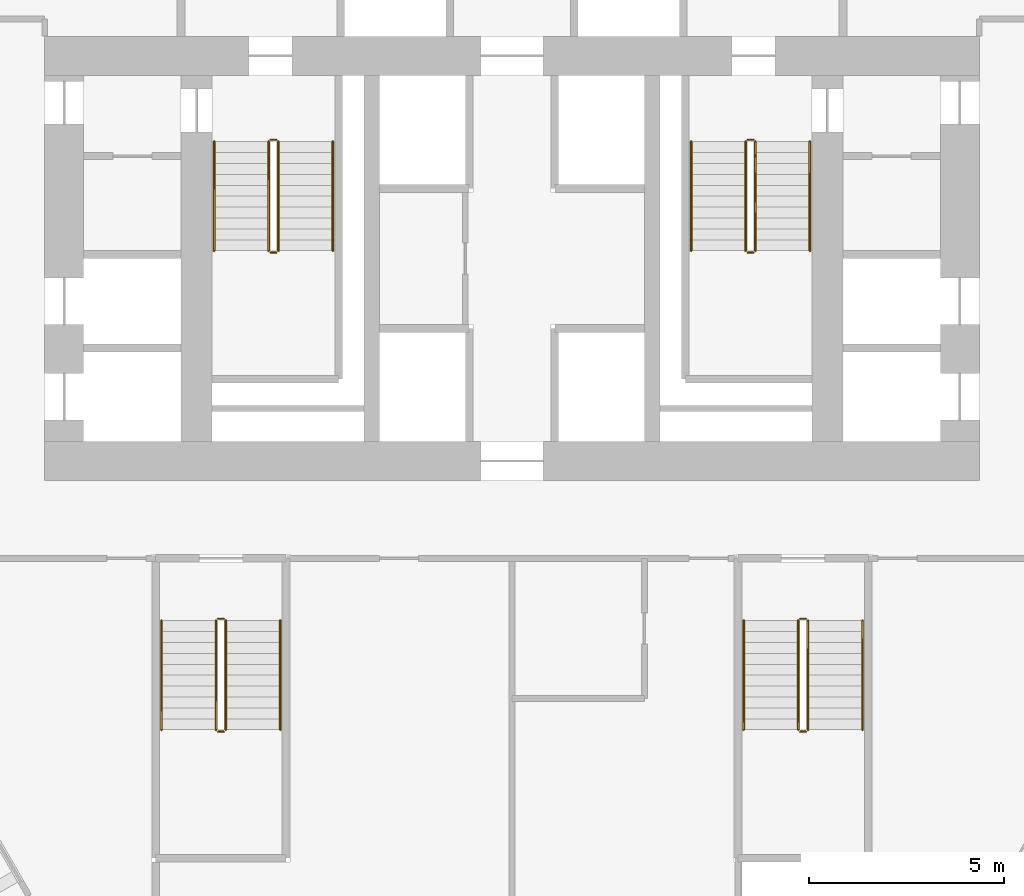
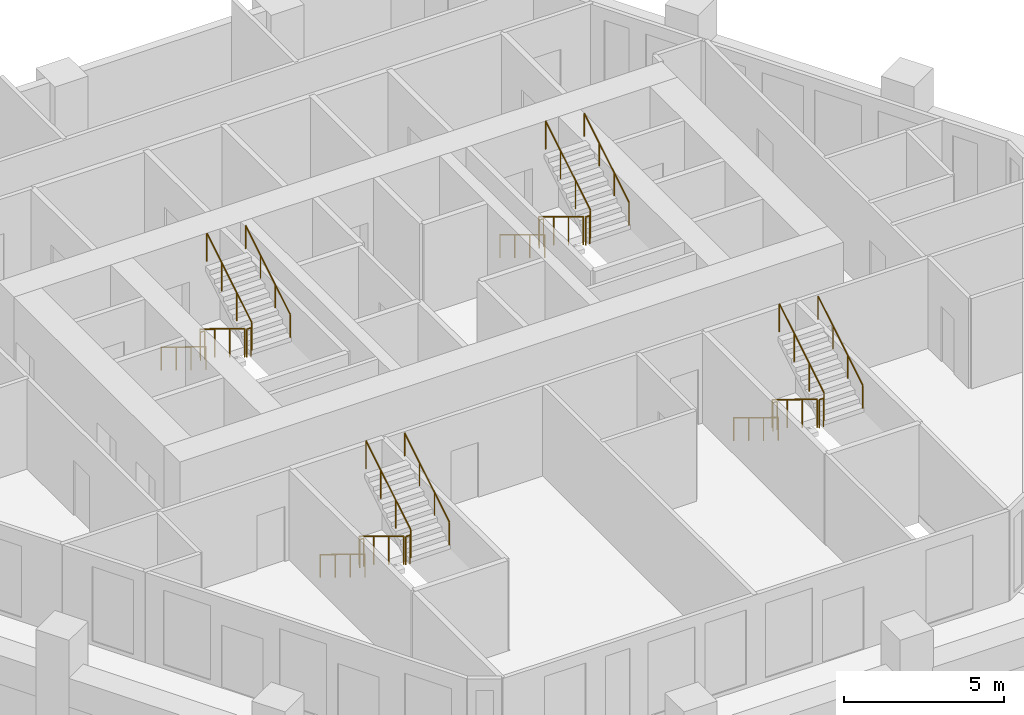
# One storey, part 7 of 7: 24 railings.
"""IFC4 building model written with IfcOpenShell, lengths in metres."""

from ifc_helpers import new_model, si_unit, direction, frame, origin, origin_2d, place, context, subcontext, project, spatial, circle, extrude, material, type_object, element, save


model = new_model("IFC4")

# Units and contexts
model_context = context("Model", 3, precision=1e-05, world=origin(), true_north=direction((0.0, 1.0)))
body_context = subcontext(model_context, "Body", "Model", "MODEL_VIEW")
ifc_project = project(units=[si_unit("LENGTHUNIT", "METRE"), si_unit("AREAUNIT", "SQUARE_METRE"), si_unit("VOLUMEUNIT", "CUBIC_METRE"), si_unit("PLANEANGLEUNIT", "RADIAN"), si_unit("MASSUNIT", "GRAM", prefix="KILO")], contexts=[model_context])

# Site, building, storey
site_placement = place(None, origin())
site = spatial("IfcSite", under=ifc_project, at=site_placement, CompositionType="ELEMENT")
building_placement = place(site_placement, origin())
building = spatial("IfcBuilding", under=site, at=building_placement, Name="Ostrander Bayou Hotel Tower", CompositionType="ELEMENT")
storey_placement = place(building_placement, frame((0.0, 0.0, 89.25)))
storey = spatial("IfcBuildingStorey", under=building, at=storey_placement, Name="L22", CompositionType="ELEMENT", Elevation=89.25)

# Railings
ifc_material_1 = material(Name="Steel ASTM A500 Gr C", Category="steel")
railing_type_1 = type_object("IfcRailingType", Name="GR1 stair guard 1100 mm steel", PredefinedType="GUARDRAIL", material=ifc_material_1)
railing_1_placement = place(storey_placement, frame((-6.25, 7.0, 0.17041015625)))
element("IfcRailing", 1, at=railing_1_placement, inside=storey, type_object=railing_type_1, Name="L22 STA stair guard 1", PredefinedType="GUARDRAIL", context=body_context, shape_type="SweptSolid", body=[
    extrude(circle(Radius=0.02392578125, at=origin_2d()), frame((0.0, 0.0, 1.076171875), z_axis=(0.0, -0.854169791009, 0.51999420009), x_axis=(1.0, 0.0, 0.0)), (0.0, 0.0, 1.0), 3.278076171875),
    extrude(circle(Radius=0.02099609375, at=origin_2d()), origin(), (0.0, 0.0, 1.0), 1.052001953125),
    extrude(circle(Radius=0.02099609375, at=origin_2d()), frame((0.0, -0.933349609375, 0.568115234375)), (0.0, 0.0, 1.0), 1.052001953125),
    extrude(circle(Radius=0.02099609375, at=origin_2d()), frame((0.0, -1.86669921875, 1.136474609375)), (0.0, 0.0, 1.0), 1.052001953125),
    extrude(circle(Radius=0.02099609375, at=origin_2d()), frame((0.0, -2.800048828125, 1.70458984375)), (0.0, 0.0, 1.0), 1.052001953125),
])
railing_2_placement = place(storey_placement, frame((-6.199951171875, 4.14990234375, 1.875)))
element("IfcRailing", 2, at=railing_2_placement, inside=storey, type_object=railing_type_1, Name="L22 STA stair guard 2", PredefinedType="GUARDRAIL", context=body_context, shape_type="SweptSolid", body=[
    extrude(circle(Radius=0.02392578125, at=origin_2d()), frame((0.0, 0.0, 1.076171875), z_axis=(1.0, 0.0, 0.0), x_axis=(0.0, 1.0, 0.0)), (0.0, 0.0, 1.0), 0.14990234375),
    extrude(circle(Radius=0.02099609375, at=origin_2d()), origin(), (0.0, 0.0, 1.0), 1.052001953125),
    extrude(circle(Radius=0.02099609375, at=origin_2d()), frame((0.14990234375, 0.0, 0.0)), (0.0, 0.0, 1.0), 1.052001953125),
])
railing_3_placement = place(storey_placement, frame((-6.0, 4.199951171875, 2.04541015625)))
element("IfcRailing", 3, at=railing_3_placement, inside=storey, type_object=railing_type_1, Name="L22 STA stair guard 3", PredefinedType="GUARDRAIL", context=body_context, shape_type="SweptSolid", body=[
    extrude(circle(Radius=0.02392578125, at=origin_2d()), frame((0.0, 0.0, 1.076171875), z_axis=(0.0, 0.854169791009, 0.51999420009), x_axis=(-1.0, 0.0, 0.0)), (0.0, 0.0, 1.0), 3.278076171875),
    extrude(circle(Radius=0.02099609375, at=origin_2d()), origin(), (0.0, 0.0, 1.0), 1.052001953125),
    extrude(circle(Radius=0.02099609375, at=origin_2d()), frame((0.0, 0.933349609375, 0.568115234375)), (0.0, 0.0, 1.0), 1.052001953125),
    extrude(circle(Radius=0.02099609375, at=origin_2d()), frame((0.0, 1.86669921875, 1.136474609375)), (0.0, 0.0, 1.0), 1.052001953125),
    extrude(circle(Radius=0.02099609375, at=origin_2d()), frame((0.0, 2.800048828125, 1.70458984375)), (0.0, 0.0, 1.0), 1.052001953125),
])
railing_4_placement = place(storey_placement, frame((-6.199951171875, 7.050048828125, 0.0)))
element("IfcRailing", 4, at=railing_4_placement, inside=storey, type_object=railing_type_1, Name="L22 STA stair guard 4", PredefinedType="GUARDRAIL", context=body_context, shape_type="SweptSolid", body=[
    extrude(circle(Radius=0.02392578125, at=origin_2d()), frame((0.0, 0.0, 1.076171875), z_axis=(1.0, 0.0, 0.0), x_axis=(0.0, 1.0, 0.0)), (0.0, 0.0, 1.0), 0.14990234375),
    extrude(circle(Radius=0.02099609375, at=origin_2d()), origin(), (0.0, 0.0, 1.0), 1.052001953125),
    extrude(circle(Radius=0.02099609375, at=origin_2d()), frame((0.14990234375, 0.0, 0.0)), (0.0, 0.0, 1.0), 1.052001953125),
])
railing_5_placement = place(storey_placement, frame((6.0, 7.0, 0.17041015625)))
element("IfcRailing", 5, at=railing_5_placement, inside=storey, type_object=railing_type_1, Name="L22 STB stair guard 1", PredefinedType="GUARDRAIL", context=body_context, shape_type="SweptSolid", body=[
    extrude(circle(Radius=0.02392578125, at=origin_2d()), frame((0.0, 0.0, 1.076171875), z_axis=(0.0, -0.854169791009, 0.51999420009), x_axis=(1.0, 0.0, 0.0)), (0.0, 0.0, 1.0), 3.278076171875),
    extrude(circle(Radius=0.02099609375, at=origin_2d()), origin(), (0.0, 0.0, 1.0), 1.052001953125),
    extrude(circle(Radius=0.02099609375, at=origin_2d()), frame((0.0, -0.933349609375, 0.568115234375)), (0.0, 0.0, 1.0), 1.052001953125),
    extrude(circle(Radius=0.02099609375, at=origin_2d()), frame((0.0, -1.86669921875, 1.136474609375)), (0.0, 0.0, 1.0), 1.052001953125),
    extrude(circle(Radius=0.02099609375, at=origin_2d()), frame((0.0, -2.800048828125, 1.70458984375)), (0.0, 0.0, 1.0), 1.052001953125),
])
railing_6_placement = place(storey_placement, frame((6.050048828125, 4.14990234375, 1.875)))
element("IfcRailing", 6, at=railing_6_placement, inside=storey, type_object=railing_type_1, Name="L22 STB stair guard 2", PredefinedType="GUARDRAIL", context=body_context, shape_type="SweptSolid", body=[
    extrude(circle(Radius=0.02392578125, at=origin_2d()), frame((0.0, 0.0, 1.076171875), z_axis=(1.0, 0.0, 0.0), x_axis=(0.0, 1.0, 0.0)), (0.0, 0.0, 1.0), 0.14990234375),
    extrude(circle(Radius=0.02099609375, at=origin_2d()), origin(), (0.0, 0.0, 1.0), 1.052001953125),
    extrude(circle(Radius=0.02099609375, at=origin_2d()), frame((0.14990234375, 0.0, 0.0)), (0.0, 0.0, 1.0), 1.052001953125),
])
railing_7_placement = place(storey_placement, frame((6.25, 4.199951171875, 2.04541015625)))
element("IfcRailing", 7, at=railing_7_placement, inside=storey, type_object=railing_type_1, Name="L22 STB stair guard 3", PredefinedType="GUARDRAIL", context=body_context, shape_type="SweptSolid", body=[
    extrude(circle(Radius=0.02392578125, at=origin_2d()), frame((0.0, 0.0, 1.076171875), z_axis=(0.0, 0.854169791009, 0.51999420009), x_axis=(-1.0, 0.0, 0.0)), (0.0, 0.0, 1.0), 3.278076171875),
    extrude(circle(Radius=0.02099609375, at=origin_2d()), origin(), (0.0, 0.0, 1.0), 1.052001953125),
    extrude(circle(Radius=0.02099609375, at=origin_2d()), frame((0.0, 0.933349609375, 0.568115234375)), (0.0, 0.0, 1.0), 1.052001953125),
    extrude(circle(Radius=0.02099609375, at=origin_2d()), frame((0.0, 1.86669921875, 1.136474609375)), (0.0, 0.0, 1.0), 1.052001953125),
    extrude(circle(Radius=0.02099609375, at=origin_2d()), frame((0.0, 2.800048828125, 1.70458984375)), (0.0, 0.0, 1.0), 1.052001953125),
])
railing_8_placement = place(storey_placement, frame((6.050048828125, 7.050048828125, 0.0)))
element("IfcRailing", 8, at=railing_8_placement, inside=storey, type_object=railing_type_1, Name="L22 STB stair guard 4", PredefinedType="GUARDRAIL", context=body_context, shape_type="SweptSolid", body=[
    extrude(circle(Radius=0.02392578125, at=origin_2d()), frame((0.0, 0.0, 1.076171875), z_axis=(1.0, 0.0, 0.0), x_axis=(0.0, 1.0, 0.0)), (0.0, 0.0, 1.0), 0.14990234375),
    extrude(circle(Radius=0.02099609375, at=origin_2d()), origin(), (0.0, 0.0, 1.0), 1.052001953125),
    extrude(circle(Radius=0.02099609375, at=origin_2d()), frame((0.14990234375, 0.0, 0.0)), (0.0, 0.0, 1.0), 1.052001953125),
])
railing_9_placement = place(storey_placement, frame((7.35009765625, -5.300048828125, 0.17041015625)))
element("IfcRailing", 9, at=railing_9_placement, inside=storey, type_object=railing_type_1, Name="L22 STC stair guard 1", PredefinedType="GUARDRAIL", context=body_context, shape_type="SweptSolid", body=[
    extrude(circle(Radius=0.02392578125, at=origin_2d()), frame((0.0, 0.0, 1.076171875), z_axis=(0.0, -0.854169791009, 0.51999420009), x_axis=(1.0, 0.0, 0.0)), (0.0, 0.0, 1.0), 3.278076171875),
    extrude(circle(Radius=0.02099609375, at=origin_2d()), origin(), (0.0, 0.0, 1.0), 1.052001953125),
    extrude(circle(Radius=0.02099609375, at=origin_2d()), frame((0.0, -0.933349609375, 0.568115234375)), (0.0, 0.0, 1.0), 1.052001953125),
    extrude(circle(Radius=0.02099609375, at=origin_2d()), frame((0.0, -1.86669921875, 1.136474609375)), (0.0, 0.0, 1.0), 1.052001953125),
    extrude(circle(Radius=0.02099609375, at=origin_2d()), frame((0.0, -2.800048828125, 1.70458984375)), (0.0, 0.0, 1.0), 1.052001953125),
])
railing_10_placement = place(storey_placement, frame((7.39990234375, -8.14990234375, 1.875)))
element("IfcRailing", 10, at=railing_10_placement, inside=storey, type_object=railing_type_1, Name="L22 STC stair guard 2", PredefinedType="GUARDRAIL", context=body_context, shape_type="SweptSolid", body=[
    extrude(circle(Radius=0.02392578125, at=origin_2d()), frame((0.0, 0.0, 1.076171875), z_axis=(1.0, 0.0, 0.0), x_axis=(0.0, 1.0, 0.0)), (0.0, 0.0, 1.0), 0.150146484375),
    extrude(circle(Radius=0.02099609375, at=origin_2d()), origin(), (0.0, 0.0, 1.0), 1.052001953125),
    extrude(circle(Radius=0.02099609375, at=origin_2d()), frame((0.150146484375, 0.0, 0.0)), (0.0, 0.0, 1.0), 1.052001953125),
])
railing_11_placement = place(storey_placement, frame((7.60009765625, -8.10009765625, 2.04541015625)))
element("IfcRailing", 11, at=railing_11_placement, inside=storey, type_object=railing_type_1, Name="L22 STC stair guard 3", PredefinedType="GUARDRAIL", context=body_context, shape_type="SweptSolid", body=[
    extrude(circle(Radius=0.02392578125, at=origin_2d()), frame((0.0, 0.0, 1.076171875), z_axis=(0.0, 0.854169791009, 0.51999420009), x_axis=(-1.0, 0.0, 0.0)), (0.0, 0.0, 1.0), 3.278076171875),
    extrude(circle(Radius=0.02099609375, at=origin_2d()), origin(), (0.0, 0.0, 1.0), 1.052001953125),
    extrude(circle(Radius=0.02099609375, at=origin_2d()), frame((0.0, 0.933349609375, 0.568115234375)), (0.0, 0.0, 1.0), 1.052001953125),
    extrude(circle(Radius=0.02099609375, at=origin_2d()), frame((0.0, 1.86669921875, 1.136474609375)), (0.0, 0.0, 1.0), 1.052001953125),
    extrude(circle(Radius=0.02099609375, at=origin_2d()), frame((0.0, 2.800048828125, 1.70458984375)), (0.0, 0.0, 1.0), 1.052001953125),
])
railing_12_placement = place(storey_placement, frame((7.39990234375, -5.25, 0.0)))
element("IfcRailing", 12, at=railing_12_placement, inside=storey, type_object=railing_type_1, Name="L22 STC stair guard 4", PredefinedType="GUARDRAIL", context=body_context, shape_type="SweptSolid", body=[
    extrude(circle(Radius=0.02392578125, at=origin_2d()), frame((0.0, 0.0, 1.076171875), z_axis=(1.0, 0.0, 0.0), x_axis=(0.0, 1.0, 0.0)), (0.0, 0.0, 1.0), 0.150146484375),
    extrude(circle(Radius=0.02099609375, at=origin_2d()), origin(), (0.0, 0.0, 1.0), 1.052001953125),
    extrude(circle(Radius=0.02099609375, at=origin_2d()), frame((0.150146484375, 0.0, 0.0)), (0.0, 0.0, 1.0), 1.052001953125),
])
railing_13_placement = place(storey_placement, frame((-7.60009765625, -5.300048828125, 0.17041015625)))
element("IfcRailing", 13, at=railing_13_placement, inside=storey, type_object=railing_type_1, Name="L22 STD stair guard 1", PredefinedType="GUARDRAIL", context=body_context, shape_type="SweptSolid", body=[
    extrude(circle(Radius=0.02392578125, at=origin_2d()), frame((0.0, 0.0, 1.076171875), z_axis=(0.0, -0.854169791009, 0.51999420009), x_axis=(1.0, 0.0, 0.0)), (0.0, 0.0, 1.0), 3.278076171875),
    extrude(circle(Radius=0.02099609375, at=origin_2d()), origin(), (0.0, 0.0, 1.0), 1.052001953125),
    extrude(circle(Radius=0.02099609375, at=origin_2d()), frame((0.0, -0.933349609375, 0.568115234375)), (0.0, 0.0, 1.0), 1.052001953125),
    extrude(circle(Radius=0.02099609375, at=origin_2d()), frame((0.0, -1.86669921875, 1.136474609375)), (0.0, 0.0, 1.0), 1.052001953125),
    extrude(circle(Radius=0.02099609375, at=origin_2d()), frame((0.0, -2.800048828125, 1.70458984375)), (0.0, 0.0, 1.0), 1.052001953125),
])
railing_14_placement = place(storey_placement, frame((-7.550048828125, -8.14990234375, 1.875)))
element("IfcRailing", 14, at=railing_14_placement, inside=storey, type_object=railing_type_1, Name="L22 STD stair guard 2", PredefinedType="GUARDRAIL", context=body_context, shape_type="SweptSolid", body=[
    extrude(circle(Radius=0.02392578125, at=origin_2d()), frame((0.0, 0.0, 1.076171875), z_axis=(1.0, 0.0, 0.0), x_axis=(0.0, 1.0, 0.0)), (0.0, 0.0, 1.0), 0.150146484375),
    extrude(circle(Radius=0.02099609375, at=origin_2d()), origin(), (0.0, 0.0, 1.0), 1.052001953125),
    extrude(circle(Radius=0.02099609375, at=origin_2d()), frame((0.150146484375, 0.0, 0.0)), (0.0, 0.0, 1.0), 1.052001953125),
])
railing_15_placement = place(storey_placement, frame((-7.35009765625, -8.10009765625, 2.04541015625)))
element("IfcRailing", 15, at=railing_15_placement, inside=storey, type_object=railing_type_1, Name="L22 STD stair guard 3", PredefinedType="GUARDRAIL", context=body_context, shape_type="SweptSolid", body=[
    extrude(circle(Radius=0.02392578125, at=origin_2d()), frame((0.0, 0.0, 1.076171875), z_axis=(0.0, 0.854169791009, 0.51999420009), x_axis=(-1.0, 0.0, 0.0)), (0.0, 0.0, 1.0), 3.278076171875),
    extrude(circle(Radius=0.02099609375, at=origin_2d()), origin(), (0.0, 0.0, 1.0), 1.052001953125),
    extrude(circle(Radius=0.02099609375, at=origin_2d()), frame((0.0, 0.933349609375, 0.568115234375)), (0.0, 0.0, 1.0), 1.052001953125),
    extrude(circle(Radius=0.02099609375, at=origin_2d()), frame((0.0, 1.86669921875, 1.136474609375)), (0.0, 0.0, 1.0), 1.052001953125),
    extrude(circle(Radius=0.02099609375, at=origin_2d()), frame((0.0, 2.800048828125, 1.70458984375)), (0.0, 0.0, 1.0), 1.052001953125),
])
railing_16_placement = place(storey_placement, frame((-7.550048828125, -5.25, 0.0)))
element("IfcRailing", 16, at=railing_16_placement, inside=storey, type_object=railing_type_1, Name="L22 STD stair guard 4", PredefinedType="GUARDRAIL", context=body_context, shape_type="SweptSolid", body=[
    extrude(circle(Radius=0.02392578125, at=origin_2d()), frame((0.0, 0.0, 1.076171875), z_axis=(1.0, 0.0, 0.0), x_axis=(0.0, 1.0, 0.0)), (0.0, 0.0, 1.0), 0.150146484375),
    extrude(circle(Radius=0.02099609375, at=origin_2d()), origin(), (0.0, 0.0, 1.0), 1.052001953125),
    extrude(circle(Radius=0.02099609375, at=origin_2d()), frame((0.150146484375, 0.0, 0.0)), (0.0, 0.0, 1.0), 1.052001953125),
])
ifc_material_2 = material(Name="Steel ASTM A500 Gr C", Category="steel")
railing_type_2 = type_object("IfcRailingType", Name="HR1 stair handrail 900 mm steel", PredefinedType="HANDRAIL", material=ifc_material_2)
railing_17_placement = place(storey_placement, frame((-7.64990234375, 7.0, 0.17041015625)))
element("IfcRailing", 17, at=railing_17_placement, inside=storey, type_object=railing_type_2, Name="L22 STA stair handrail 1", PredefinedType="HANDRAIL", context=body_context, shape_type="SweptSolid", body=[
    extrude(circle(Radius=0.02392578125, at=origin_2d()), frame((0.0, 0.0, 0.8759765625), z_axis=(0.0, -0.854169791009, 0.51999420009), x_axis=(1.0, 0.0, 0.0)), (0.0, 0.0, 1.0), 3.278076171875),
    extrude(circle(Radius=0.02099609375, at=origin_2d()), origin(), (0.0, 0.0, 1.0), 0.851806640625),
    extrude(circle(Radius=0.02099609375, at=origin_2d()), frame((0.0, -0.933349609375, 0.568115234375)), (0.0, 0.0, 1.0), 0.851806640625),
    extrude(circle(Radius=0.02099609375, at=origin_2d()), frame((0.0, -1.86669921875, 1.136474609375)), (0.0, 0.0, 1.0), 0.851806640625),
    extrude(circle(Radius=0.02099609375, at=origin_2d()), frame((0.0, -2.800048828125, 1.70458984375)), (0.0, 0.0, 1.0), 0.851806640625),
])
railing_18_placement = place(storey_placement, frame((-4.60009765625, 4.199951171875, 2.04541015625)))
element("IfcRailing", 18, at=railing_18_placement, inside=storey, type_object=railing_type_2, Name="L22 STA stair handrail 2", PredefinedType="HANDRAIL", context=body_context, shape_type="SweptSolid", body=[
    extrude(circle(Radius=0.02392578125, at=origin_2d()), frame((0.0, 0.0, 0.8759765625), z_axis=(0.0, 0.854169791009, 0.51999420009), x_axis=(-1.0, 0.0, 0.0)), (0.0, 0.0, 1.0), 3.278076171875),
    extrude(circle(Radius=0.02099609375, at=origin_2d()), origin(), (0.0, 0.0, 1.0), 0.851806640625),
    extrude(circle(Radius=0.02099609375, at=origin_2d()), frame((0.0, 0.933349609375, 0.568115234375)), (0.0, 0.0, 1.0), 0.851806640625),
    extrude(circle(Radius=0.02099609375, at=origin_2d()), frame((0.0, 1.86669921875, 1.136474609375)), (0.0, 0.0, 1.0), 0.851806640625),
    extrude(circle(Radius=0.02099609375, at=origin_2d()), frame((0.0, 2.800048828125, 1.70458984375)), (0.0, 0.0, 1.0), 0.851806640625),
])
railing_19_placement = place(storey_placement, frame((4.60009765625, 7.0, 0.17041015625)))
element("IfcRailing", 19, at=railing_19_placement, inside=storey, type_object=railing_type_2, Name="L22 STB stair handrail 1", PredefinedType="HANDRAIL", context=body_context, shape_type="SweptSolid", body=[
    extrude(circle(Radius=0.02392578125, at=origin_2d()), frame((0.0, 0.0, 0.8759765625), z_axis=(0.0, -0.854169791009, 0.51999420009), x_axis=(1.0, 0.0, 0.0)), (0.0, 0.0, 1.0), 3.278076171875),
    extrude(circle(Radius=0.02099609375, at=origin_2d()), origin(), (0.0, 0.0, 1.0), 0.851806640625),
    extrude(circle(Radius=0.02099609375, at=origin_2d()), frame((0.0, -0.933349609375, 0.568115234375)), (0.0, 0.0, 1.0), 0.851806640625),
    extrude(circle(Radius=0.02099609375, at=origin_2d()), frame((0.0, -1.86669921875, 1.136474609375)), (0.0, 0.0, 1.0), 0.851806640625),
    extrude(circle(Radius=0.02099609375, at=origin_2d()), frame((0.0, -2.800048828125, 1.70458984375)), (0.0, 0.0, 1.0), 0.851806640625),
])
railing_20_placement = place(storey_placement, frame((7.64990234375, 4.199951171875, 2.04541015625)))
element("IfcRailing", 20, at=railing_20_placement, inside=storey, type_object=railing_type_2, Name="L22 STB stair handrail 2", PredefinedType="HANDRAIL", context=body_context, shape_type="SweptSolid", body=[
    extrude(circle(Radius=0.02392578125, at=origin_2d()), frame((0.0, 0.0, 0.8759765625), z_axis=(0.0, 0.854169791009, 0.51999420009), x_axis=(-1.0, 0.0, 0.0)), (0.0, 0.0, 1.0), 3.278076171875),
    extrude(circle(Radius=0.02099609375, at=origin_2d()), origin(), (0.0, 0.0, 1.0), 0.851806640625),
    extrude(circle(Radius=0.02099609375, at=origin_2d()), frame((0.0, 0.933349609375, 0.568115234375)), (0.0, 0.0, 1.0), 0.851806640625),
    extrude(circle(Radius=0.02099609375, at=origin_2d()), frame((0.0, 1.86669921875, 1.136474609375)), (0.0, 0.0, 1.0), 0.851806640625),
    extrude(circle(Radius=0.02099609375, at=origin_2d()), frame((0.0, 2.800048828125, 1.70458984375)), (0.0, 0.0, 1.0), 0.851806640625),
])
railing_21_placement = place(storey_placement, frame((5.949951171875, -5.300048828125, 0.17041015625)))
element("IfcRailing", 21, at=railing_21_placement, inside=storey, type_object=railing_type_2, Name="L22 STC stair handrail 1", PredefinedType="HANDRAIL", context=body_context, shape_type="SweptSolid", body=[
    extrude(circle(Radius=0.02392578125, at=origin_2d()), frame((0.0, 0.0, 0.8759765625), z_axis=(0.0, -0.854169791009, 0.51999420009), x_axis=(1.0, 0.0, 0.0)), (0.0, 0.0, 1.0), 3.278076171875),
    extrude(circle(Radius=0.02099609375, at=origin_2d()), origin(), (0.0, 0.0, 1.0), 0.851806640625),
    extrude(circle(Radius=0.02099609375, at=origin_2d()), frame((0.0, -0.933349609375, 0.568115234375)), (0.0, 0.0, 1.0), 0.851806640625),
    extrude(circle(Radius=0.02099609375, at=origin_2d()), frame((0.0, -1.86669921875, 1.136474609375)), (0.0, 0.0, 1.0), 0.851806640625),
    extrude(circle(Radius=0.02099609375, at=origin_2d()), frame((0.0, -2.800048828125, 1.70458984375)), (0.0, 0.0, 1.0), 0.851806640625),
])
railing_22_placement = place(storey_placement, frame((9.0, -8.10009765625, 2.04541015625)))
element("IfcRailing", 22, at=railing_22_placement, inside=storey, type_object=railing_type_2, Name="L22 STC stair handrail 2", PredefinedType="HANDRAIL", context=body_context, shape_type="SweptSolid", body=[
    extrude(circle(Radius=0.02392578125, at=origin_2d()), frame((0.0, 0.0, 0.8759765625), z_axis=(0.0, 0.854169791009, 0.51999420009), x_axis=(-1.0, 0.0, 0.0)), (0.0, 0.0, 1.0), 3.278076171875),
    extrude(circle(Radius=0.02099609375, at=origin_2d()), origin(), (0.0, 0.0, 1.0), 0.851806640625),
    extrude(circle(Radius=0.02099609375, at=origin_2d()), frame((0.0, 0.933349609375, 0.568115234375)), (0.0, 0.0, 1.0), 0.851806640625),
    extrude(circle(Radius=0.02099609375, at=origin_2d()), frame((0.0, 1.86669921875, 1.136474609375)), (0.0, 0.0, 1.0), 0.851806640625),
    extrude(circle(Radius=0.02099609375, at=origin_2d()), frame((0.0, 2.800048828125, 1.70458984375)), (0.0, 0.0, 1.0), 0.851806640625),
])
railing_23_placement = place(storey_placement, frame((-9.0, -5.300048828125, 0.17041015625)))
element("IfcRailing", 23, at=railing_23_placement, inside=storey, type_object=railing_type_2, Name="L22 STD stair handrail 1", PredefinedType="HANDRAIL", context=body_context, shape_type="SweptSolid", body=[
    extrude(circle(Radius=0.02392578125, at=origin_2d()), frame((0.0, 0.0, 0.8759765625), z_axis=(0.0, -0.854169791009, 0.51999420009), x_axis=(1.0, 0.0, 0.0)), (0.0, 0.0, 1.0), 3.278076171875),
    extrude(circle(Radius=0.02099609375, at=origin_2d()), origin(), (0.0, 0.0, 1.0), 0.851806640625),
    extrude(circle(Radius=0.02099609375, at=origin_2d()), frame((0.0, -0.933349609375, 0.568115234375)), (0.0, 0.0, 1.0), 0.851806640625),
    extrude(circle(Radius=0.02099609375, at=origin_2d()), frame((0.0, -1.86669921875, 1.136474609375)), (0.0, 0.0, 1.0), 0.851806640625),
    extrude(circle(Radius=0.02099609375, at=origin_2d()), frame((0.0, -2.800048828125, 1.70458984375)), (0.0, 0.0, 1.0), 0.851806640625),
])
railing_24_placement = place(storey_placement, frame((-5.949951171875, -8.10009765625, 2.04541015625)))
element("IfcRailing", 24, at=railing_24_placement, inside=storey, type_object=railing_type_2, Name="L22 STD stair handrail 2", PredefinedType="HANDRAIL", context=body_context, shape_type="SweptSolid", body=[
    extrude(circle(Radius=0.02392578125, at=origin_2d()), frame((0.0, 0.0, 0.8759765625), z_axis=(0.0, 0.854169791009, 0.51999420009), x_axis=(-1.0, 0.0, 0.0)), (0.0, 0.0, 1.0), 3.278076171875),
    extrude(circle(Radius=0.02099609375, at=origin_2d()), origin(), (0.0, 0.0, 1.0), 0.851806640625),
    extrude(circle(Radius=0.02099609375, at=origin_2d()), frame((0.0, 0.933349609375, 0.568115234375)), (0.0, 0.0, 1.0), 0.851806640625),
    extrude(circle(Radius=0.02099609375, at=origin_2d()), frame((0.0, 1.86669921875, 1.136474609375)), (0.0, 0.0, 1.0), 0.851806640625),
    extrude(circle(Radius=0.02099609375, at=origin_2d()), frame((0.0, 2.800048828125, 1.70458984375)), (0.0, 0.0, 1.0), 0.851806640625),
])

save(model, "model.ifc")
